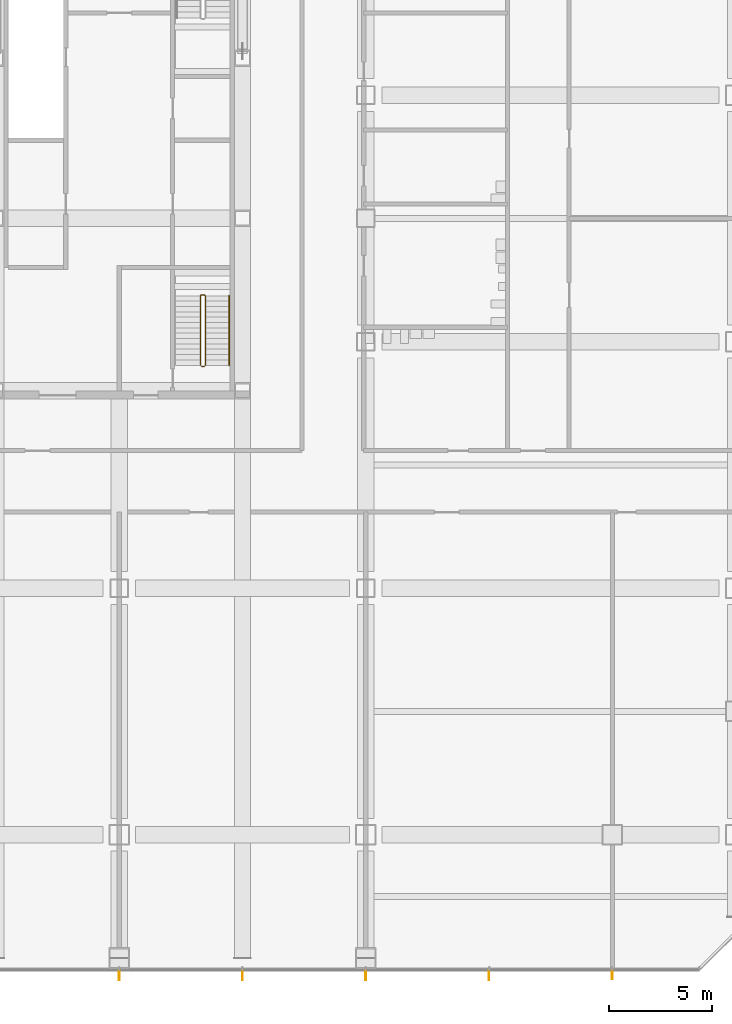
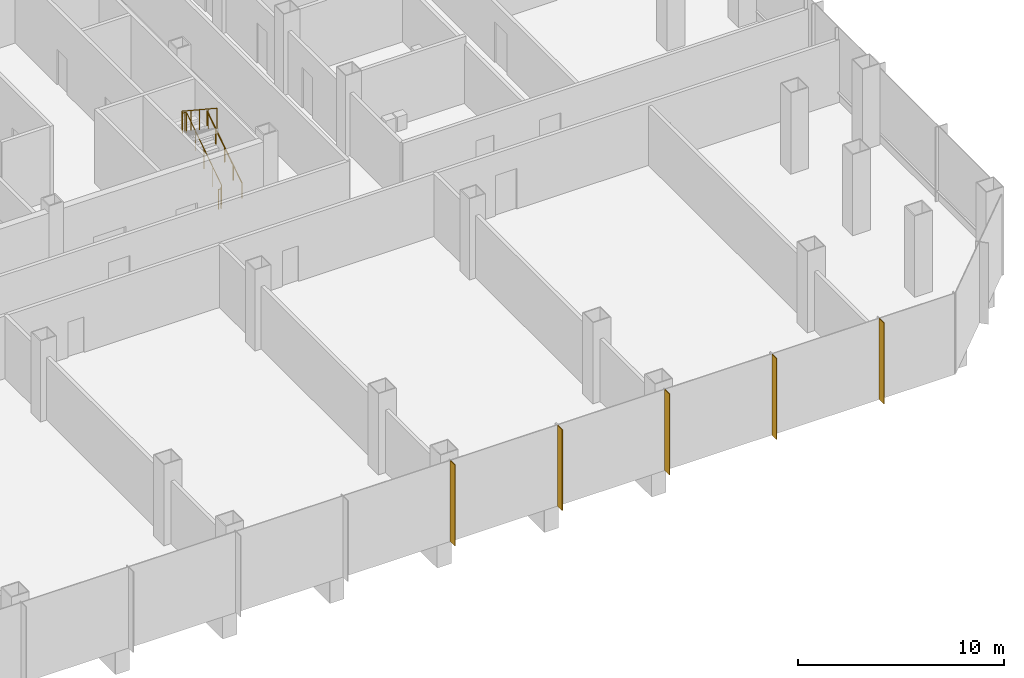
# One storey, part 29 of 34: 5 shading devices, 2 railings.
"""IFC4 building model written with IfcOpenShell, lengths in metres."""

from ifc_helpers import new_model, si_unit, direction, frame, origin, origin_2d, place, context, subcontext, project, spatial, rectangle, circle, extrude, material, material_profile, profile_set, type_object, element, save


model = new_model("IFC4")

# Units and contexts
model_context = context("Model", 3, precision=1e-05, world=origin(), true_north=direction((0.0, 1.0)))
body_context = subcontext(model_context, "Body", "Model", "MODEL_VIEW")
ifc_project = project(units=[si_unit("LENGTHUNIT", "METRE"), si_unit("AREAUNIT", "SQUARE_METRE"), si_unit("VOLUMEUNIT", "CUBIC_METRE"), si_unit("PLANEANGLEUNIT", "RADIAN"), si_unit("MASSUNIT", "GRAM", prefix="KILO")], contexts=[model_context])

# Site, building, storey
site_placement = place(None, origin())
site = spatial("IfcSite", under=ifc_project, at=site_placement, CompositionType="ELEMENT")
building_placement = place(site_placement, origin())
building = spatial("IfcBuilding", under=site, at=building_placement, Name="Sorahane Residences", CompositionType="ELEMENT")
storey_placement = place(building_placement, frame((0.0, 0.0, 20.39990234375)))
storey = spatial("IfcBuildingStorey", under=building, at=storey_placement, Name="L02", CompositionType="ELEMENT", Elevation=20.39990234375)

# Shading devices
ifc_material_1 = material(Name="Terracotta anodised aluminium", Category="masonry")
ifc_material_profile = material_profile(ifc_material_1, rectangle(XDim=0.449951171875, YDim=0.0400390625, at=origin_2d()), Name="Podium vertical fin terracotta anodised aluminium 450x40")
ifc_profile_set = profile_set([ifc_material_profile], Name="Terracotta anodised aluminium")
shading_device_type = type_object("IfcShadingDeviceType", Name="Podium vertical fin terracotta anodised aluminium 450x40", PredefinedType="USERDEFINED", material=ifc_profile_set)
for number, where, z_axis, x_axis, name in (
    (1, (36.0, -6.844970703125, -0.39990234375), (0.0, 0.0, 1.0), (0.0, -1.0, 0.0), "Podium vertical fin L02 S1.5"),
    (2, (42.0, -6.844970703125, -0.39990234375), (0.0, 0.0, 1.0), (0.0, -1.0, 0.0), "Podium vertical fin L02 S1.6"),
    (3, (48.0, -6.844970703125, -0.39990234375), (0.0, 0.0, 1.0), (0.0, -1.0, 0.0), "Podium vertical fin L02 S1.7"),
    (4, (54.0, -6.844970703125, -0.39990234375), (0.0, 0.0, 1.0), (0.0, -1.0, 0.0), "Podium vertical fin L02 S1.8"),
    (5, (60.0, -6.844970703125, -0.39990234375), (0.0, 0.0, 1.0), (0.0, -1.0, 0.0), "Podium vertical fin L02 S1.9"),
):
    element("IfcShadingDevice", number, at=place(storey_placement, frame(where, z_axis=z_axis, x_axis=x_axis)), inside=storey, type_object=shading_device_type, Name=name, ObjectType="Vertical fin", PredefinedType="USERDEFINED", context=body_context, shape_type="SweptSolid", body=[
        extrude(rectangle(XDim=0.449951171875, YDim=0.0400390625, at=origin_2d()), origin(), (0.0, 0.0, 1.0), 4.800048828125),
    ])

# Railings
ifc_material_2 = material(Name="Steel Q355B", Category="steel")
railing_type_1 = type_object("IfcRailingType", Name="Stair guard 1200 Steel Q355B", PredefinedType="GUARDRAIL", material=ifc_material_2)
railing_1_placement = place(storey_placement, frame((40.0, 22.800048828125, 0.0)))
element("IfcRailing", 6, at=railing_1_placement, inside=storey, type_object=railing_type_1, Name="L02 S5 stair guard 1", PredefinedType="GUARDRAIL", context=body_context, shape_type="SweptSolid", body=[
    extrude(circle(Radius=0.02392578125, at=origin_2d()), frame((0.0, 0.0, 1.17578125), z_axis=(1.0, 0.0, 0.0), x_axis=(0.0, 1.0, 0.0)), (0.0, 0.0, 1.0), 0.14990234375),
    extrude(circle(Radius=0.02392578125, at=origin_2d()), frame((0.14990234375, 0.0, 1.17578125), z_axis=(0.269583098496, 0.269583098496, 0.924472771914), x_axis=(-0.707106781187, 0.707106781187, 0.0)), (0.0, 0.0, 1.0), 0.185546875),
    extrude(circle(Radius=0.02392578125, at=origin_2d()), frame((0.199951171875, 0.050048828125, 1.34765625), z_axis=(0.0, 0.83485994896, 0.550462410727), x_axis=(-1.0, 0.0, 0.0)), (0.0, 0.0, 1.0), 4.04833984375),
    extrude(circle(Radius=0.02392578125, at=origin_2d()), frame((0.199951171875, 3.429931640625, 3.576171875), z_axis=(-0.707106781187, 0.707106781187, 0.0), x_axis=(-0.707106781187, -0.707106781187, 0.0)), (0.0, 0.0, 1.0), 0.07080078125),
    extrude(circle(Radius=0.02392578125, at=origin_2d()), frame((0.14990234375, 3.47998046875, 3.576171875), z_axis=(-1.0, 0.0, 0.0), x_axis=(0.0, -1.0, 0.0)), (0.0, 0.0, 1.0), 0.14990234375),
    extrude(circle(Radius=0.02392578125, at=origin_2d()), frame((0.0, 3.47998046875, 3.576171875), z_axis=(-0.269911200495, -0.269911200495, 0.924281281696), x_axis=(0.707106781187, -0.707106781187, 0.0)), (0.0, 0.0, 1.0), 0.185546875),
    extrude(circle(Radius=0.02392578125, at=origin_2d()), frame((-0.050048828125, 3.429931640625, 3.74755859375), z_axis=(0.0, -0.83485994896, 0.550462410727), x_axis=(1.0, 0.0, 0.0)), (0.0, 0.0, 1.0), 4.04833984375),
    extrude(circle(Radius=0.02099609375, at=origin_2d()), origin(), (0.0, 0.0, 1.0), 1.15185546875),
    extrude(circle(Radius=0.02099609375, at=origin_2d()), frame((0.14990234375, 0.0, 0.0)), (0.0, 0.0, 1.0), 1.15185546875),
    extrude(circle(Radius=0.02099609375, at=origin_2d()), frame((0.199951171875, 0.050048828125, 0.171630859375)), (0.0, 0.0, 1.0), 1.15185546875),
    extrude(circle(Radius=0.02099609375, at=origin_2d()), frame((0.199951171875, 0.89501953125, 0.728759765625)), (0.0, 0.0, 1.0), 1.15185546875),
    extrude(circle(Radius=0.02099609375, at=origin_2d()), frame((0.199951171875, 1.739990234375, 1.285888671875)), (0.0, 0.0, 1.0), 1.15185546875),
    extrude(circle(Radius=0.02099609375, at=origin_2d()), frame((0.199951171875, 2.5849609375, 1.843017578125)), (0.0, 0.0, 1.0), 1.15185546875),
    extrude(circle(Radius=0.02099609375, at=origin_2d()), frame((0.199951171875, 3.429931640625, 2.400146484375)), (0.0, 0.0, 1.0), 1.15185546875),
    extrude(circle(Radius=0.02099609375, at=origin_2d()), frame((0.14990234375, 3.47998046875, 2.400146484375)), (0.0, 0.0, 1.0), 1.15185546875),
    extrude(circle(Radius=0.02099609375, at=origin_2d()), frame((0.0, 3.47998046875, 2.400146484375)), (0.0, 0.0, 1.0), 1.15185546875),
    extrude(circle(Radius=0.02099609375, at=origin_2d()), frame((-0.050048828125, 3.429931640625, 2.571533203125)), (0.0, 0.0, 1.0), 1.15185546875),
    extrude(circle(Radius=0.02099609375, at=origin_2d()), frame((-0.050048828125, 2.5849609375, 3.128662109375)), (0.0, 0.0, 1.0), 1.15185546875),
    extrude(circle(Radius=0.02099609375, at=origin_2d()), frame((-0.050048828125, 1.739990234375, 3.685791015625)), (0.0, 0.0, 1.0), 1.15185546875),
    extrude(circle(Radius=0.02099609375, at=origin_2d()), frame((-0.050048828125, 0.89501953125, 4.242919921875)), (0.0, 0.0, 1.0), 1.15185546875),
    extrude(circle(Radius=0.02099609375, at=origin_2d()), frame((-0.050048828125, 0.050048828125, 4.800048828125)), (0.0, 0.0, 1.0), 1.15185546875),
])
ifc_material_3 = material(Name="Steel Q355B", Category="steel")
railing_type_2 = type_object("IfcRailingType", Name="Stair handrail 900 Steel Q355B", PredefinedType="HANDRAIL", material=ifc_material_3)
railing_2_placement = place(storey_placement, frame((41.35009765625, 22.85009765625, 0.171630859375)))
element("IfcRailing", 7, at=railing_2_placement, inside=storey, type_object=railing_type_2, Name="L02 S5 stair handrail 1", PredefinedType="HANDRAIL", context=body_context, shape_type="SweptSolid", body=[
    extrude(circle(Radius=0.02392578125, at=origin_2d()), frame((0.0, 0.0, 0.8759765625), z_axis=(0.0, 0.83485994896, 0.550462410727), x_axis=(-1.0, 0.0, 0.0)), (0.0, 0.0, 1.0), 4.04833984375),
    extrude(circle(Radius=0.02099609375, at=origin_2d()), origin(), (0.0, 0.0, 1.0), 0.851806640625),
    extrude(circle(Radius=0.02099609375, at=origin_2d()), frame((0.0, 0.844970703125, 0.55712890625)), (0.0, 0.0, 1.0), 0.851806640625),
    extrude(circle(Radius=0.02099609375, at=origin_2d()), frame((0.0, 1.68994140625, 1.1142578125)), (0.0, 0.0, 1.0), 0.851806640625),
    extrude(circle(Radius=0.02099609375, at=origin_2d()), frame((0.0, 2.534912109375, 1.67138671875)), (0.0, 0.0, 1.0), 0.851806640625),
    extrude(circle(Radius=0.02099609375, at=origin_2d()), frame((0.0, 3.3798828125, 2.228515625)), (0.0, 0.0, 1.0), 0.851806640625),
])

save(model, "model.ifc")
